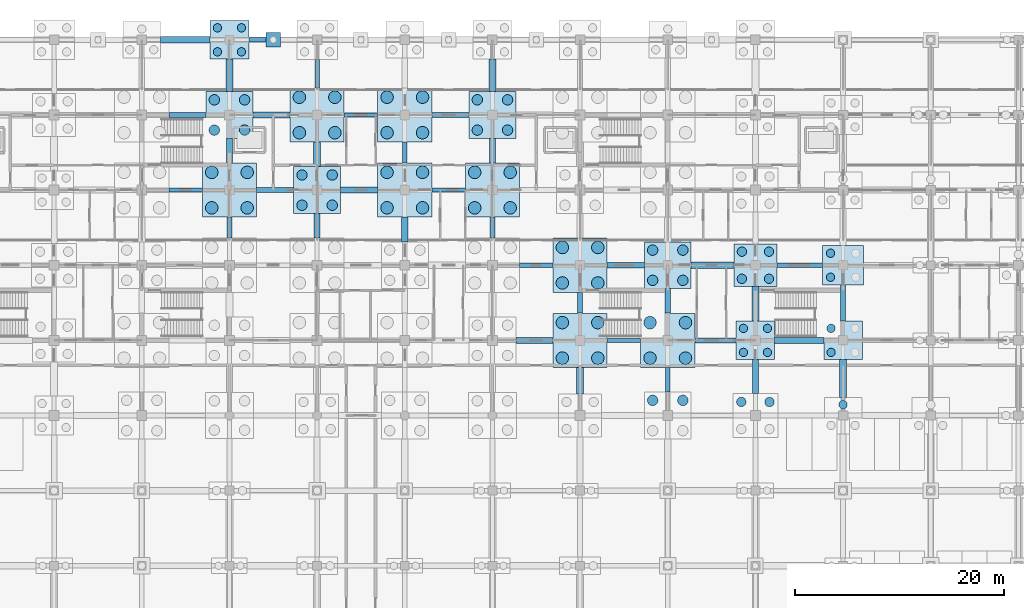
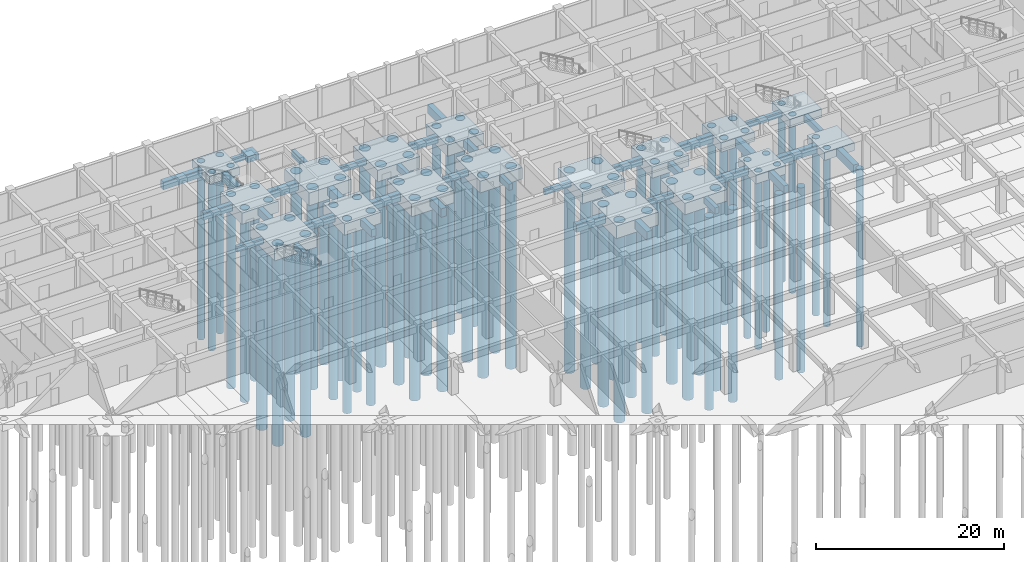
# One storey, part 11 of 85: 69 piles, 55 footings.
"""IFC4 building model written with IfcOpenShell, lengths in metres."""

from ifc_helpers import new_model, si_unit, direction, frame, origin, origin_2d, place, context, subcontext, project, spatial, rectangle, circle, extrude, material, material_profile, profile_set, type_object, element, save


model = new_model("IFC4")

# Units and contexts
model_context = context("Model", 3, precision=1e-05, world=origin(), true_north=direction((0.0, 1.0)))
body_context = subcontext(model_context, "Body", "Model", "MODEL_VIEW")
ifc_project = project(units=[si_unit("LENGTHUNIT", "METRE"), si_unit("AREAUNIT", "SQUARE_METRE"), si_unit("VOLUMEUNIT", "CUBIC_METRE"), si_unit("PLANEANGLEUNIT", "RADIAN"), si_unit("MASSUNIT", "GRAM", prefix="KILO")], contexts=[model_context])

# Site, building, storey
site_placement = place(None, origin())
site = spatial("IfcSite", under=ifc_project, at=site_placement, CompositionType="ELEMENT")
building_placement = place(site_placement, origin())
building = spatial("IfcBuilding", under=site, at=building_placement, Name="Chengyuan Square Courthouse", CompositionType="ELEMENT")
storey_placement = place(building_placement, frame((0.0, 0.0, -10.199951171875)))
storey = spatial("IfcBuildingStorey", under=building, at=storey_placement, Name="B02", CompositionType="ELEMENT", Elevation=-10.199951171875)

# Footings
ifc_material = material(Name="Concrete C40", Category="concrete")
ifc_material_profile_1 = material_profile(ifc_material, rectangle(XDim=0.39990234375, YDim=0.699951171875, at=origin_2d()), Name="GB-400x700")
ifc_profile_set_1 = profile_set([ifc_material_profile_1], Name="Concrete C40")
footing_type_1 = type_object("IfcFootingType", Name="GB-01", PredefinedType="FOOTING_BEAM", material=ifc_profile_set_1)
footing_1_placement = place(storey_placement, frame((103.39990234375, 86.39990234375, -1.150146484375), z_axis=(1.0, 0.0, 0.0), x_axis=(0.0, 1.0, 0.0)))
element("IfcFooting", 1, at=footing_1_placement, inside=storey, type_object=footing_type_1, Name="Ground Tie Beam GB-B02-0253", PredefinedType="FOOTING_BEAM", context=body_context, shape_type="SweptSolid", body=[
    extrude(rectangle(XDim=0.39990234375, YDim=0.699951171875, at=origin_2d()), origin(), (0.0, 0.0, 1.0), 3.2001953125),
])
footing_2_placement = place(storey_placement, frame((95.0, 93.60009765625, -1.150146484375), z_axis=(1.0, 0.0, 0.0), x_axis=(0.0, 1.0, 0.0)))
element("IfcFooting", 2, at=footing_2_placement, inside=storey, type_object=footing_type_1, Name="Ground Tie Beam GB-B02-0272", PredefinedType="FOOTING_BEAM", context=body_context, shape_type="SweptSolid", body=[
    extrude(rectangle(XDim=0.39990234375, YDim=0.699951171875, at=origin_2d()), origin(), (0.0, 0.0, 1.0), 3.199951171875),
])
footing_3_placement = place(storey_placement, frame((119.64990234375, 93.60009765625, -1.150146484375), z_axis=(1.0, 0.0, 0.0), x_axis=(0.0, 1.0, 0.0)))
element("IfcFooting", 3, at=footing_3_placement, inside=storey, type_object=footing_type_1, Name="Ground Tie Beam GB-B02-0275", PredefinedType="FOOTING_BEAM", context=body_context, shape_type="SweptSolid", body=[
    extrude(rectangle(XDim=0.39990234375, YDim=0.699951171875, at=origin_2d()), origin(), (0.0, 0.0, 1.0), 4.400146484375),
])
footing_4_placement = place(storey_placement, frame((61.39990234375, 100.800048828125, -1.150146484375), z_axis=(1.0, 0.0, 0.0), x_axis=(0.0, 1.0, 0.0)))
element("IfcFooting", 4, at=footing_4_placement, inside=storey, type_object=footing_type_1, Name="Ground Tie Beam GB-B02-0288", PredefinedType="FOOTING_BEAM", context=body_context, shape_type="SweptSolid", body=[
    extrude(rectangle(XDim=0.39990234375, YDim=0.699951171875, at=origin_2d()), origin(), (0.0, 0.0, 1.0), 3.2001953125),
])
for number, where, z_axis, x_axis, name in (
    (5, (86.60009765625, 100.800048828125, -1.150146484375), (1.0, 0.0, 0.0), (0.0, 1.0, 0.0), "Ground Tie Beam GB-B02-0291"),
    (6, (78.199951171875, 108.0, -1.150146484375), (1.0, 0.0, 0.0), (0.0, 1.0, 0.0), "Ground Tie Beam GB-B02-0310"),
):
    element("IfcFooting", number, at=place(storey_placement, frame(where, z_axis=z_axis, x_axis=x_axis)), inside=storey, type_object=footing_type_1, Name=name, PredefinedType="FOOTING_BEAM", context=body_context, shape_type="SweptSolid", body=[
        extrude(rectangle(XDim=0.39990234375, YDim=0.699951171875, at=origin_2d()), origin(), (0.0, 0.0, 1.0), 3.199951171875),
    ])
footing_5_placement = place(storey_placement, frame((69.050048828125, 115.199951171875, -1.150146484375), z_axis=(1.0, 0.0, 0.0), x_axis=(0.0, 1.0, 0.0)))
element("IfcFooting", 7, at=footing_5_placement, inside=storey, type_object=footing_type_1, Name="Ground Tie Beam GB-B02-0330", PredefinedType="FOOTING_BEAM", context=body_context, shape_type="SweptSolid", body=[
    extrude(rectangle(XDim=0.39990234375, YDim=0.699951171875, at=origin_2d()), origin(), (0.0, 0.0, 1.0), 1.64990234375),
])
ifc_material_profile_2 = material_profile(ifc_material, rectangle(XDim=0.449951171875, YDim=0.800048828125, at=origin_2d()), Name="GB-450x800")
ifc_profile_set_2 = profile_set([ifc_material_profile_2], Name="Concrete C40")
footing_type_2 = type_object("IfcFootingType", Name="GB-02", PredefinedType="FOOTING_BEAM", material=ifc_profile_set_2)
footing_6_placement = place(storey_placement, frame((67.199951171875, 96.199951171875, -1.199951171875), z_axis=(0.0, 1.0, 0.0), x_axis=(-1.0, 0.0, 0.0)))
element("IfcFooting", 8, at=footing_6_placement, inside=storey, type_object=footing_type_2, Name="Ground Tie Beam GB-B02-0488", PredefinedType="FOOTING_BEAM", context=body_context, shape_type="SweptSolid", body=[
    extrude(rectangle(XDim=0.449951171875, YDim=0.800048828125, at=origin_2d()), origin(), (0.0, 0.0, 1.0), 2.0),
])
footing_7_placement = place(storey_placement, frame((75.60009765625, 110.60009765625, -1.199951171875), z_axis=(0.0, 1.0, 0.0), x_axis=(-1.0, 0.0, 0.0)))
element("IfcFooting", 9, at=footing_7_placement, inside=storey, type_object=footing_type_2, Name="Ground Tie Beam GB-B02-0506", PredefinedType="FOOTING_BEAM", context=body_context, shape_type="SweptSolid", body=[
    extrude(rectangle(XDim=0.449951171875, YDim=0.800048828125, at=origin_2d()), origin(), (0.0, 0.0, 1.0), 2.699951171875),
])
for number, where, z_axis, x_axis, name in (
    (10, (84.0, 103.39990234375, -1.199951171875), (0.0, 1.0, 0.0), (-1.0, 0.0, 0.0), "Ground Tie Beam GB-B02-0521"),
    (11, (92.39990234375, 96.199951171875, -1.199951171875), (0.0, 1.0, 0.0), (-1.0, 0.0, 0.0), "Ground Tie Beam GB-B02-0536"),
    (12, (100.800048828125, 89.0, -1.199951171875), (0.0, 1.0, 0.0), (-1.0, 0.0, 0.0), "Ground Tie Beam GB-B02-0551"),
):
    element("IfcFooting", number, at=place(storey_placement, frame(where, z_axis=z_axis, x_axis=x_axis)), inside=storey, type_object=footing_type_2, Name=name, PredefinedType="FOOTING_BEAM", context=body_context, shape_type="SweptSolid", body=[
        extrude(rectangle(XDim=0.449951171875, YDim=0.800048828125, at=origin_2d()), origin(), (0.0, 0.0, 1.0), 2.0),
    ])
footing_8_placement = place(storey_placement, frame((109.199951171875, 81.449951171875, -1.199951171875), z_axis=(0.0, 1.0, 0.0), x_axis=(-1.0, 0.0, 0.0)))
element("IfcFooting", 13, at=footing_8_placement, inside=storey, type_object=footing_type_2, Name="Ground Tie Beam GB-B02-0566", PredefinedType="FOOTING_BEAM", context=body_context, shape_type="SweptSolid", body=[
    extrude(rectangle(XDim=0.449951171875, YDim=0.800048828125, at=origin_2d()), origin(), (0.0, 0.0, 1.0), 2.35009765625),
])
footing_9_placement = place(storey_placement, frame((126.0, 88.25, -1.199951171875), z_axis=(0.0, 1.0, 0.0), x_axis=(-1.0, 0.0, 0.0)))
element("IfcFooting", 14, at=footing_9_placement, inside=storey, type_object=footing_type_2, Name="Ground Tie Beam GB-B02-0599", PredefinedType="FOOTING_BEAM", context=body_context, shape_type="SweptSolid", body=[
    extrude(rectangle(XDim=0.449951171875, YDim=0.800048828125, at=origin_2d()), origin(), (0.0, 0.0, 1.0), 3.449951171875),
])
ifc_material_profile_3 = material_profile(ifc_material, rectangle(XDim=0.5, YDim=0.89990234375, at=origin_2d()), Name="GB-500x900")
ifc_profile_set_3 = profile_set([ifc_material_profile_3], Name="Concrete C40")
footing_type_3 = type_object("IfcFootingType", Name="GB-03", PredefinedType="FOOTING_BEAM", material=ifc_profile_set_3)
footing_10_placement = place(storey_placement, frame((111.800048828125, 86.39990234375, -1.25), z_axis=(1.0, 0.0, 0.0), x_axis=(0.0, 1.0, 0.0)))
element("IfcFooting", 15, at=footing_10_placement, inside=storey, type_object=footing_type_3, Name="Ground Tie Beam GB-B02-0254", PredefinedType="FOOTING_BEAM", context=body_context, shape_type="SweptSolid", body=[
    extrude(rectangle(XDim=0.5, YDim=0.89990234375, at=origin_2d()), origin(), (0.0, 0.0, 1.0), 3.949951171875),
])
for number, where, z_axis, x_axis, name in (
    (16, (103.39990234375, 93.60009765625, -1.25), (1.0, 0.0, 0.0), (0.0, 1.0, 0.0), "Ground Tie Beam GB-B02-0273"),
    (17, (69.800048828125, 100.800048828125, -1.25), (1.0, 0.0, 0.0), (0.0, 1.0, 0.0), "Ground Tie Beam GB-B02-0289"),
    (18, (61.39990234375, 108.0, -1.25), (1.0, 0.0, 0.0), (0.0, 1.0, 0.0), "Ground Tie Beam GB-B02-0308"),
):
    element("IfcFooting", number, at=place(storey_placement, frame(where, z_axis=z_axis, x_axis=x_axis)), inside=storey, type_object=footing_type_3, Name=name, PredefinedType="FOOTING_BEAM", context=body_context, shape_type="SweptSolid", body=[
        extrude(rectangle(XDim=0.5, YDim=0.89990234375, at=origin_2d()), origin(), (0.0, 0.0, 1.0), 3.550048828125),
    ])
footing_11_placement = place(storey_placement, frame((86.60009765625, 108.0, -1.25), z_axis=(1.0, 0.0, 0.0), x_axis=(0.0, 1.0, 0.0)))
element("IfcFooting", 19, at=footing_11_placement, inside=storey, type_object=footing_type_3, Name="Ground Tie Beam GB-B02-0311", PredefinedType="FOOTING_BEAM", context=body_context, shape_type="SweptSolid", body=[
    extrude(rectangle(XDim=0.5, YDim=0.89990234375, at=origin_2d()), origin(), (0.0, 0.0, 1.0), 3.5498046875),
])
ifc_material_profile_4 = material_profile(ifc_material, rectangle(XDim=0.550048828125, YDim=0.949951171875, at=origin_2d()), Name="GB-550x950")
ifc_profile_set_4 = profile_set([ifc_material_profile_4], Name="Concrete C40")
footing_type_4 = type_object("IfcFootingType", Name="GB-04", PredefinedType="FOOTING_BEAM", material=ifc_profile_set_4)
for number, where, z_axis, x_axis, name in (
    (20, (67.199951171875, 103.39990234375, -1.275146484375), (0.0, 1.0, 0.0), (-1.0, 0.0, 0.0), "Ground Tie Beam GB-B02-0489"),
    (21, (75.60009765625, 96.199951171875, -1.275146484375), (0.0, 1.0, 0.0), (-1.0, 0.0, 0.0), "Ground Tie Beam GB-B02-0504"),
    (22, (92.39990234375, 103.39990234375, -1.275146484375), (0.0, 1.0, 0.0), (-1.0, 0.0, 0.0), "Ground Tie Beam GB-B02-0537"),
    (23, (109.199951171875, 89.0, -1.275146484375), (0.0, 1.0, 0.0), (-1.0, 0.0, 0.0), "Ground Tie Beam GB-B02-0567"),
):
    element("IfcFooting", number, at=place(storey_placement, frame(where, z_axis=z_axis, x_axis=x_axis)), inside=storey, type_object=footing_type_4, Name=name, PredefinedType="FOOTING_BEAM", context=body_context, shape_type="SweptSolid", body=[
        extrude(rectangle(XDim=0.550048828125, YDim=0.949951171875, at=origin_2d()), origin(), (0.0, 0.0, 1.0), 2.35009765625),
    ])
footing_12_placement = place(storey_placement, frame((117.60009765625, 81.300048828125, -1.275146484375), z_axis=(0.0, 1.0, 0.0), x_axis=(-1.0, 0.0, 0.0)))
element("IfcFooting", 24, at=footing_12_placement, inside=storey, type_object=footing_type_4, Name="Ground Tie Beam GB-B02-0582", PredefinedType="FOOTING_BEAM", context=body_context, shape_type="SweptSolid", body=[
    extrude(rectangle(XDim=0.550048828125, YDim=0.949951171875, at=origin_2d()), origin(), (0.0, 0.0, 1.0), 3.25),
])
ifc_material_profile_5 = material_profile(ifc_material, rectangle(XDim=0.60009765625, YDim=1.0, at=origin_2d()), Name="GB-600x1000")
ifc_profile_set_5 = profile_set([ifc_material_profile_5], Name="Concrete C40")
footing_type_5 = type_object("IfcFootingType", Name="GB-05", PredefinedType="FOOTING_BEAM", material=ifc_profile_set_5)
footing_13_placement = place(storey_placement, frame((94.64990234375, 86.39990234375, -1.300048828125), z_axis=(1.0, 0.0, 0.0), x_axis=(0.0, 1.0, 0.0)))
element("IfcFooting", 25, at=footing_13_placement, inside=storey, type_object=footing_type_5, Name="Ground Tie Beam GB-B02-0252", PredefinedType="FOOTING_BEAM", context=body_context, shape_type="SweptSolid", body=[
    extrude(rectangle(XDim=0.60009765625, YDim=1.0, at=origin_2d()), origin(), (0.0, 0.0, 1.0), 3.550048828125),
])
footing_14_placement = place(storey_placement, frame((119.449951171875, 86.39990234375, -1.300048828125), z_axis=(1.0, 0.0, 0.0), x_axis=(0.0, 1.0, 0.0)))
element("IfcFooting", 26, at=footing_14_placement, inside=storey, type_object=footing_type_5, Name="Ground Tie Beam GB-B02-0255", PredefinedType="FOOTING_BEAM", context=body_context, shape_type="SweptSolid", body=[
    extrude(rectangle(XDim=0.60009765625, YDim=1.0, at=origin_2d()), origin(), (0.0, 0.0, 1.0), 4.699951171875),
])
footing_15_placement = place(storey_placement, frame((111.449951171875, 93.60009765625, -1.300048828125), z_axis=(1.0, 0.0, 0.0), x_axis=(0.0, 1.0, 0.0)))
element("IfcFooting", 27, at=footing_15_placement, inside=storey, type_object=footing_type_5, Name="Ground Tie Beam GB-B02-0274", PredefinedType="FOOTING_BEAM", context=body_context, shape_type="SweptSolid", body=[
    extrude(rectangle(XDim=0.60009765625, YDim=1.0, at=origin_2d()), origin(), (0.0, 0.0, 1.0), 4.10009765625),
])
footing_16_placement = place(storey_placement, frame((77.85009765625, 100.800048828125, -1.300048828125), z_axis=(1.0, 0.0, 0.0), x_axis=(0.0, 1.0, 0.0)))
element("IfcFooting", 28, at=footing_16_placement, inside=storey, type_object=footing_type_5, Name="Ground Tie Beam GB-B02-0290", PredefinedType="FOOTING_BEAM", context=body_context, shape_type="SweptSolid", body=[
    extrude(rectangle(XDim=0.60009765625, YDim=1.0, at=origin_2d()), origin(), (0.0, 0.0, 1.0), 3.5498046875),
])
footing_17_placement = place(storey_placement, frame((69.449951171875, 108.0, -1.300048828125), z_axis=(1.0, 0.0, 0.0), x_axis=(0.0, 1.0, 0.0)))
element("IfcFooting", 29, at=footing_17_placement, inside=storey, type_object=footing_type_5, Name="Ground Tie Beam GB-B02-0309", PredefinedType="FOOTING_BEAM", context=body_context, shape_type="SweptSolid", body=[
    extrude(rectangle(XDim=0.60009765625, YDim=1.0, at=origin_2d()), origin(), (0.0, 0.0, 1.0), 3.550048828125),
])
footing_18_placement = place(storey_placement, frame((60.60009765625, 115.199951171875, -1.300048828125), z_axis=(1.0, 0.0, 0.0), x_axis=(0.0, 1.0, 0.0)))
element("IfcFooting", 30, at=footing_18_placement, inside=storey, type_object=footing_type_5, Name="Ground Tie Beam GB-B02-0329", PredefinedType="FOOTING_BEAM", context=body_context, shape_type="SweptSolid", body=[
    extrude(rectangle(XDim=0.60009765625, YDim=1.0, at=origin_2d()), origin(), (0.0, 0.0, 1.0), 4.75),
])
ifc_material_profile_6 = material_profile(ifc_material, rectangle(XDim=0.64990234375, YDim=1.10009765625, at=origin_2d()), Name="GB-650x1100")
ifc_profile_set_6 = profile_set([ifc_material_profile_6], Name="Concrete C40")
footing_type_6 = type_object("IfcFootingType", Name="GB-06", PredefinedType="FOOTING_BEAM", material=ifc_profile_set_6)
footing_19_placement = place(storey_placement, frame((67.199951171875, 110.25, -1.35009765625), z_axis=(0.0, 1.0, 0.0), x_axis=(-1.0, 0.0, 0.0)))
element("IfcFooting", 31, at=footing_19_placement, inside=storey, type_object=footing_type_6, Name="Ground Tie Beam GB-B02-0490", PredefinedType="FOOTING_BEAM", context=body_context, shape_type="SweptSolid", body=[
    extrude(rectangle(XDim=0.64990234375, YDim=1.10009765625, at=origin_2d()), origin(), (0.0, 0.0, 1.0), 3.10009765625),
])
for number, where, z_axis, x_axis, name in (
    (32, (75.60009765625, 103.050048828125, -1.35009765625), (0.0, 1.0, 0.0), (-1.0, 0.0, 0.0), "Ground Tie Beam GB-B02-0505"),
    (33, (84.0, 95.85009765625, -1.35009765625), (0.0, 1.0, 0.0), (-1.0, 0.0, 0.0), "Ground Tie Beam GB-B02-0520"),
):
    element("IfcFooting", number, at=place(storey_placement, frame(where, z_axis=z_axis, x_axis=x_axis)), inside=storey, type_object=footing_type_6, Name=name, PredefinedType="FOOTING_BEAM", context=body_context, shape_type="SweptSolid", body=[
        extrude(rectangle(XDim=0.64990234375, YDim=1.10009765625, at=origin_2d()), origin(), (0.0, 0.0, 1.0), 2.349853515625),
    ])
footing_20_placement = place(storey_placement, frame((92.39990234375, 110.25, -1.35009765625), z_axis=(0.0, 1.0, 0.0), x_axis=(-1.0, 0.0, 0.0)))
element("IfcFooting", 34, at=footing_20_placement, inside=storey, type_object=footing_type_6, Name="Ground Tie Beam GB-B02-0538", PredefinedType="FOOTING_BEAM", context=body_context, shape_type="SweptSolid", body=[
    extrude(rectangle(XDim=0.64990234375, YDim=1.10009765625, at=origin_2d()), origin(), (0.0, 0.0, 1.0), 3.10009765625),
])
footing_21_placement = place(storey_placement, frame((100.800048828125, 81.25, -1.35009765625), z_axis=(0.0, 1.0, 0.0), x_axis=(-1.0, 0.0, 0.0)))
element("IfcFooting", 35, at=footing_21_placement, inside=storey, type_object=footing_type_6, Name="Ground Tie Beam GB-B02-0550", PredefinedType="FOOTING_BEAM", context=body_context, shape_type="SweptSolid", body=[
    extrude(rectangle(XDim=0.64990234375, YDim=1.10009765625, at=origin_2d()), origin(), (0.0, 0.0, 1.0), 2.550048828125),
])
footing_22_placement = place(storey_placement, frame((117.60009765625, 88.25, -1.35009765625), z_axis=(0.0, 1.0, 0.0), x_axis=(-1.0, 0.0, 0.0)))
element("IfcFooting", 36, at=footing_22_placement, inside=storey, type_object=footing_type_6, Name="Ground Tie Beam GB-B02-0583", PredefinedType="FOOTING_BEAM", context=body_context, shape_type="SweptSolid", body=[
    extrude(rectangle(XDim=0.64990234375, YDim=1.10009765625, at=origin_2d()), origin(), (0.0, 0.0, 1.0), 3.300048828125),
])
footing_23_placement = place(storey_placement, frame((126.0, 80.949951171875, -1.35009765625), z_axis=(0.0, 1.0, 0.0), x_axis=(-1.0, 0.0, 0.0)))
element("IfcFooting", 37, at=footing_23_placement, inside=storey, type_object=footing_type_6, Name="Ground Tie Beam GB-B02-0598", PredefinedType="FOOTING_BEAM", context=body_context, shape_type="SweptSolid", body=[
    extrude(rectangle(XDim=0.64990234375, YDim=1.10009765625, at=origin_2d()), origin(), (0.0, 0.0, 1.0), 3.60009765625),
])
footing_type_7 = type_object("IfcFootingType", Name="PC-01", PredefinedType="PILE_CAP", material=ifc_material)
for number, where, z_axis, x_axis, name in (
    (38, (75.60009765625, 108.0, -2.449951171875), (0.0, 0.0, 1.0), (1.0, 0.0, 0.0), "Pile Cap PC-B02-169"),
    (39, (84.0, 100.800048828125, -2.449951171875), (0.0, 0.0, 1.0), (1.0, 0.0, 0.0), "Pile Cap PC-B02-185"),
    (40, (100.800048828125, 86.39990234375, -2.449951171875), (0.0, 0.0, 1.0), (1.0, 0.0, 0.0), "Pile Cap PC-B02-217"),
):
    element("IfcFooting", number, at=place(storey_placement, frame(where, z_axis=z_axis, x_axis=x_axis)), inside=storey, type_object=footing_type_7, Name=name, PredefinedType="PILE_CAP", context=body_context, shape_type="SweptSolid", body=[
        extrude(rectangle(XDim=5.199951171875, YDim=5.199951171875, at=origin_2d()), origin(), (0.0, 0.0, 1.0), 1.64990234375),
    ])
footing_type_8 = type_object("IfcFootingType", Name="PC-02", PredefinedType="PILE_CAP", material=ifc_material)
for number, where, z_axis, x_axis, name in (
    (41, (67.199951171875, 100.800048828125, -2.300048828125), (0.0, 0.0, 1.0), (1.0, 0.0, 0.0), "Pile Cap PC-B02-151"),
    (42, (84.0, 108.0, -2.300048828125), (0.0, 0.0, 1.0), (1.0, 0.0, 0.0), "Pile Cap PC-B02-186"),
    (43, (92.39990234375, 100.800048828125, -2.300048828125), (0.0, 0.0, 1.0), (1.0, 0.0, 0.0), "Pile Cap PC-B02-202"),
    (44, (100.800048828125, 93.60009765625, -2.300048828125), (0.0, 0.0, 1.0), (1.0, 0.0, 0.0), "Pile Cap PC-B02-218"),
    (45, (109.199951171875, 86.39990234375, -2.300048828125), (0.0, 0.0, 1.0), (1.0, 0.0, 0.0), "Pile Cap PC-B02-234"),
):
    element("IfcFooting", number, at=place(storey_placement, frame(where, z_axis=z_axis, x_axis=x_axis)), inside=storey, type_object=footing_type_8, Name=name, PredefinedType="PILE_CAP", context=body_context, shape_type="SweptSolid", body=[
        extrude(rectangle(XDim=5.199951171875, YDim=5.199951171875, at=origin_2d()), origin(), (0.0, 0.0, 1.0), 1.5),
    ])
footing_type_9 = type_object("IfcFootingType", Name="PC-03", PredefinedType="PILE_CAP", material=ifc_material)
for number, where, z_axis, x_axis, name in (
    (46, (67.199951171875, 108.0, -2.25), (0.0, 0.0, 1.0), (1.0, 0.0, 0.0), "Pile Cap PC-B02-152"),
    (47, (75.60009765625, 100.800048828125, -2.25), (0.0, 0.0, 1.0), (1.0, 0.0, 0.0), "Pile Cap PC-B02-168"),
    (48, (92.39990234375, 108.0, -2.25), (0.0, 0.0, 1.0), (1.0, 0.0, 0.0), "Pile Cap PC-B02-203"),
    (49, (109.199951171875, 93.60009765625, -2.25), (0.0, 0.0, 1.0), (1.0, 0.0, 0.0), "Pile Cap PC-B02-235"),
):
    element("IfcFooting", number, at=place(storey_placement, frame(where, z_axis=z_axis, x_axis=x_axis)), inside=storey, type_object=footing_type_9, Name=name, PredefinedType="PILE_CAP", context=body_context, shape_type="SweptSolid", body=[
        extrude(rectangle(XDim=4.5, YDim=4.5, at=origin_2d()), origin(), (0.0, 0.0, 1.0), 1.449951171875),
    ])
footing_type_10 = type_object("IfcFootingType", Name="PC-07", PredefinedType="PILE_CAP", material=ifc_material)
footing_24_placement = place(storey_placement, frame((117.60009765625, 93.60009765625, -2.0), z_axis=(0.0, 0.0, 1.0), x_axis=(1.0, 0.0, 0.0)))
element("IfcFooting", 50, at=footing_24_placement, inside=storey, type_object=footing_type_10, Name="Pile Cap PC-B02-252", PredefinedType="PILE_CAP", context=body_context, shape_type="SweptSolid", body=[
    extrude(rectangle(XDim=4.10009765625, YDim=4.10009765625, at=origin_2d()), origin(), (0.0, 0.0, 1.0), 1.199951171875),
])
footing_type_11 = type_object("IfcFootingType", Name="PC-09", PredefinedType="PILE_CAP", material=ifc_material)
footing_25_placement = place(storey_placement, frame((117.60009765625, 86.39990234375, -1.949951171875), z_axis=(0.0, 0.0, 1.0), x_axis=(1.0, 0.0, 0.0)))
element("IfcFooting", 51, at=footing_25_placement, inside=storey, type_object=footing_type_11, Name="Pile Cap PC-B02-251", PredefinedType="PILE_CAP", context=body_context, shape_type="SweptSolid", body=[
    extrude(rectangle(XDim=3.699951171875, YDim=3.699951171875, at=origin_2d()), origin(), (0.0, 0.0, 1.0), 1.14990234375),
])
footing_type_12 = type_object("IfcFootingType", Name="PC-10", PredefinedType="PILE_CAP", material=ifc_material)
for number, where, z_axis, x_axis, name in (
    (52, (67.199951171875, 115.199951171875, -1.85009765625), (0.0, 0.0, 1.0), (1.0, 0.0, 0.0), "Pile Cap PC-B02-153"),
    (53, (126.0, 86.39990234375, -1.85009765625), (0.0, 0.0, 1.0), (1.0, 0.0, 0.0), "Pile Cap PC-B02-268"),
):
    element("IfcFooting", number, at=place(storey_placement, frame(where, z_axis=z_axis, x_axis=x_axis)), inside=storey, type_object=footing_type_12, Name=name, PredefinedType="PILE_CAP", context=body_context, shape_type="SweptSolid", body=[
        extrude(rectangle(XDim=3.699951171875, YDim=3.699951171875, at=origin_2d()), origin(), (0.0, 0.0, 1.0), 1.050048828125),
    ])
footing_type_13 = type_object("IfcFootingType", Name="PC-11", PredefinedType="PILE_CAP", material=ifc_material)
footing_26_placement = place(storey_placement, frame((126.0, 93.60009765625, -1.900146484375), z_axis=(0.0, 0.0, 1.0), x_axis=(1.0, 0.0, 0.0)))
element("IfcFooting", 54, at=footing_26_placement, inside=storey, type_object=footing_type_13, Name="Pile Cap PC-B02-269", PredefinedType="PILE_CAP", context=body_context, shape_type="SweptSolid", body=[
    extrude(rectangle(XDim=3.89990234375, YDim=3.800048828125, at=origin_2d()), origin(), (0.0, 0.0, 1.0), 1.10009765625),
])
footing_type_14 = type_object("IfcFootingType", Name="PC-22", PredefinedType="PILE_CAP", material=ifc_material)
footing_27_placement = place(storey_placement, frame((71.39990234375, 115.199951171875, -1.60009765625), z_axis=(0.0, 0.0, 1.0), x_axis=(1.0, 0.0, 0.0)))
element("IfcFooting", 55, at=footing_27_placement, inside=storey, type_object=footing_type_14, Name="Pilaster Pile Cap PC-B02-359", PredefinedType="PILE_CAP", context=body_context, shape_type="SweptSolid", body=[
    extrude(rectangle(XDim=1.39990234375, YDim=1.39990234375, at=origin_2d()), origin(), (0.0, 0.0, 1.0), 0.800048828125),
])

# Piles
ifc_material_profile_7 = material_profile(ifc_material, circle(Radius=0.39990234375, at=origin_2d()), Name="BORED PILE D800")
ifc_profile_set_7 = profile_set([ifc_material_profile_7], Name="Concrete C40")
pile_type_1 = type_object("IfcPileType", Name="PL-03", PredefinedType="BORED", material=ifc_profile_set_7)
for number, where, z_axis, x_axis, name in (
    (56, (66.050048828125, 114.050048828125, -0.800048828125), (0.0, 0.0, -1.0), (1.0, 0.0, 0.0), "Bored Pile PL-B02-0289"),
    (57, (68.35009765625, 114.050048828125, -0.800048828125), (0.0, 0.0, -1.0), (1.0, 0.0, 0.0), "Bored Pile PL-B02-0290"),
    (58, (66.050048828125, 116.35009765625, -0.800048828125), (0.0, 0.0, -1.0), (1.0, 0.0, 0.0), "Bored Pile PL-B02-0291"),
    (59, (68.35009765625, 116.35009765625, -0.800048828125), (0.0, 0.0, -1.0), (1.0, 0.0, 0.0), "Bored Pile PL-B02-0292"),
    (60, (116.449951171875, 85.25, -0.800048828125), (0.0, 0.0, -1.0), (1.0, 0.0, 0.0), "Bored Pile PL-B02-0506"),
    (61, (118.75, 85.25, -0.800048828125), (0.0, 0.0, -1.0), (1.0, 0.0, 0.0), "Bored Pile PL-B02-0507"),
    (62, (116.449951171875, 87.550048828125, -0.800048828125), (0.0, 0.0, -1.0), (1.0, 0.0, 0.0), "Bored Pile PL-B02-0508"),
    (63, (118.75, 87.550048828125, -0.800048828125), (0.0, 0.0, -1.0), (1.0, 0.0, 0.0), "Bored Pile PL-B02-0509"),
    (64, (126.0, 80.239990234375, -0.800048828125), (0.0, 0.0, -1.0), (1.0, 0.0, 0.0), "Bored Pile PL-B02-0543"),
    (65, (124.85009765625, 85.25, -0.800048828125), (0.0, 0.0, -1.0), (1.0, 0.0, 0.0), "Bored Pile PL-B02-0544"),
    (66, (124.85009765625, 87.550048828125, -0.800048828125), (0.0, 0.0, -1.0), (1.0, 0.0, 0.0), "Bored Pile PL-B02-0546"),
    (67, (124.800048828125, 92.449951171875, -0.800048828125), (0.0, 0.0, -1.0), (1.0, 0.0, 0.0), "Bored Pile PL-B02-0548"),
    (68, (124.800048828125, 94.75, -0.800048828125), (0.0, 0.0, -1.0), (1.0, 0.0, 0.0), "Bored Pile PL-B02-0550"),
):
    element("IfcPile", number, at=place(storey_placement, frame(where, z_axis=z_axis, x_axis=x_axis)), inside=storey, type_object=pile_type_1, Name=name, PredefinedType="BORED", context=body_context, shape_type="SweptSolid", body=[
        extrude(circle(Radius=0.39990234375, at=origin_2d()), origin(), (0.0, 0.0, 1.0), 23.0),
    ])
ifc_material_profile_8 = material_profile(ifc_material, circle(Radius=0.449951171875, at=origin_2d()), Name="BORED PILE D900")
ifc_profile_set_8 = profile_set([ifc_material_profile_8], Name="Concrete C40")
pile_type_2 = type_object("IfcPileType", Name="PL-04", PredefinedType="BORED", material=ifc_profile_set_8)
for number, where, z_axis, x_axis, name in (
    (69, (116.25, 80.5, -0.800048828125), (0.0, 0.0, -1.0), (1.0, 0.0, 0.0), "Bored Pile PL-B02-0504"),
    (70, (118.949951171875, 80.5, -0.800048828125), (0.0, 0.0, -1.0), (1.0, 0.0, 0.0), "Bored Pile PL-B02-0505"),
    (71, (116.300048828125, 92.300048828125, -0.800048828125), (0.0, 0.0, -1.0), (1.0, 0.0, 0.0), "Bored Pile PL-B02-0510"),
    (72, (118.89990234375, 92.300048828125, -0.800048828125), (0.0, 0.0, -1.0), (1.0, 0.0, 0.0), "Bored Pile PL-B02-0511"),
    (73, (116.300048828125, 94.89990234375, -0.800048828125), (0.0, 0.0, -1.0), (1.0, 0.0, 0.0), "Bored Pile PL-B02-0512"),
    (74, (118.89990234375, 94.89990234375, -0.800048828125), (0.0, 0.0, -1.0), (1.0, 0.0, 0.0), "Bored Pile PL-B02-0513"),
):
    element("IfcPile", number, at=place(storey_placement, frame(where, z_axis=z_axis, x_axis=x_axis)), inside=storey, type_object=pile_type_2, Name=name, PredefinedType="BORED", context=body_context, shape_type="SweptSolid", body=[
        extrude(circle(Radius=0.449951171875, at=origin_2d()), origin(), (0.0, 0.0, 1.0), 24.0),
    ])
ifc_material_profile_9 = material_profile(ifc_material, circle(Radius=0.5, at=origin_2d()), Name="BORED PILE D1000")
ifc_profile_set_9 = profile_set([ifc_material_profile_9], Name="Concrete C40")
pile_type_3 = type_object("IfcPileType", Name="PL-05", PredefinedType="BORED", material=ifc_profile_set_9)
for number, where, z_axis, x_axis, name in (
    (75, (65.75, 106.550048828125, -0.800048828125), (0.0, 0.0, -1.0), (1.0, 0.0, 0.0), "Bored Pile PL-B02-0285"),
    (76, (68.64990234375, 106.550048828125, -0.800048828125), (0.0, 0.0, -1.0), (1.0, 0.0, 0.0), "Bored Pile PL-B02-0286"),
    (77, (65.75, 109.449951171875, -0.800048828125), (0.0, 0.0, -1.0), (1.0, 0.0, 0.0), "Bored Pile PL-B02-0287"),
    (78, (68.64990234375, 109.449951171875, -0.800048828125), (0.0, 0.0, -1.0), (1.0, 0.0, 0.0), "Bored Pile PL-B02-0288"),
    (79, (74.14990234375, 99.35009765625, -0.800048828125), (0.0, 0.0, -1.0), (1.0, 0.0, 0.0), "Bored Pile PL-B02-0320"),
    (80, (77.050048828125, 99.35009765625, -0.800048828125), (0.0, 0.0, -1.0), (1.0, 0.0, 0.0), "Bored Pile PL-B02-0321"),
    (81, (74.14990234375, 102.25, -0.800048828125), (0.0, 0.0, -1.0), (1.0, 0.0, 0.0), "Bored Pile PL-B02-0322"),
    (82, (77.050048828125, 102.25, -0.800048828125), (0.0, 0.0, -1.0), (1.0, 0.0, 0.0), "Bored Pile PL-B02-0323"),
    (83, (90.949951171875, 106.550048828125, -0.800048828125), (0.0, 0.0, -1.0), (1.0, 0.0, 0.0), "Bored Pile PL-B02-0402"),
    (84, (93.85009765625, 106.550048828125, -0.800048828125), (0.0, 0.0, -1.0), (1.0, 0.0, 0.0), "Bored Pile PL-B02-0403"),
    (85, (90.949951171875, 109.449951171875, -0.800048828125), (0.0, 0.0, -1.0), (1.0, 0.0, 0.0), "Bored Pile PL-B02-0404"),
    (86, (93.85009765625, 109.449951171875, -0.800048828125), (0.0, 0.0, -1.0), (1.0, 0.0, 0.0), "Bored Pile PL-B02-0405"),
    (87, (107.75, 80.64990234375, -0.800048828125), (0.0, 0.0, -1.0), (1.0, 0.0, 0.0), "Bored Pile PL-B02-0466"),
    (88, (110.64990234375, 80.64990234375, -0.800048828125), (0.0, 0.0, -1.0), (1.0, 0.0, 0.0), "Bored Pile PL-B02-0467"),
    (89, (107.75, 92.14990234375, -0.800048828125), (0.0, 0.0, -1.0), (1.0, 0.0, 0.0), "Bored Pile PL-B02-0472"),
    (90, (110.64990234375, 92.14990234375, -0.800048828125), (0.0, 0.0, -1.0), (1.0, 0.0, 0.0), "Bored Pile PL-B02-0473"),
    (91, (107.75, 95.050048828125, -0.800048828125), (0.0, 0.0, -1.0), (1.0, 0.0, 0.0), "Bored Pile PL-B02-0474"),
    (92, (110.64990234375, 95.050048828125, -0.800048828125), (0.0, 0.0, -1.0), (1.0, 0.0, 0.0), "Bored Pile PL-B02-0475"),
):
    element("IfcPile", number, at=place(storey_placement, frame(where, z_axis=z_axis, x_axis=x_axis)), inside=storey, type_object=pile_type_3, Name=name, PredefinedType="BORED", context=body_context, shape_type="SweptSolid", body=[
        extrude(circle(Radius=0.5, at=origin_2d()), origin(), (0.0, 0.0, 1.0), 25.0),
    ])
ifc_material_profile_10 = material_profile(ifc_material, circle(Radius=0.60009765625, at=origin_2d()), Name="BORED PILE D1200")
ifc_profile_set_10 = profile_set([ifc_material_profile_10], Name="Concrete C40")
pile_type_4 = type_object("IfcPileType", Name="PL-06", PredefinedType="BORED", material=ifc_profile_set_10)
for number, where, z_axis, x_axis, name in (
    (93, (65.5, 99.10009765625, -0.800048828125), (0.0, 0.0, -1.0), (1.0, 0.0, 0.0), "Bored Pile PL-B02-0281"),
    (94, (68.89990234375, 99.10009765625, -0.800048828125), (0.0, 0.0, -1.0), (1.0, 0.0, 0.0), "Bored Pile PL-B02-0282"),
    (95, (65.5, 102.5, -0.800048828125), (0.0, 0.0, -1.0), (1.0, 0.0, 0.0), "Bored Pile PL-B02-0283"),
    (96, (68.89990234375, 102.5, -0.800048828125), (0.0, 0.0, -1.0), (1.0, 0.0, 0.0), "Bored Pile PL-B02-0284"),
    (97, (73.89990234375, 106.300048828125, -0.800048828125), (0.0, 0.0, -1.0), (1.0, 0.0, 0.0), "Bored Pile PL-B02-0324"),
    (98, (77.300048828125, 106.300048828125, -0.800048828125), (0.0, 0.0, -1.0), (1.0, 0.0, 0.0), "Bored Pile PL-B02-0325"),
    (99, (73.89990234375, 109.699951171875, -0.800048828125), (0.0, 0.0, -1.0), (1.0, 0.0, 0.0), "Bored Pile PL-B02-0326"),
    (100, (77.300048828125, 109.699951171875, -0.800048828125), (0.0, 0.0, -1.0), (1.0, 0.0, 0.0), "Bored Pile PL-B02-0327"),
    (101, (82.300048828125, 99.10009765625, -0.800048828125), (0.0, 0.0, -1.0), (1.0, 0.0, 0.0), "Bored Pile PL-B02-0359"),
    (102, (85.699951171875, 99.10009765625, -0.800048828125), (0.0, 0.0, -1.0), (1.0, 0.0, 0.0), "Bored Pile PL-B02-0360"),
    (103, (82.300048828125, 102.5, -0.800048828125), (0.0, 0.0, -1.0), (1.0, 0.0, 0.0), "Bored Pile PL-B02-0361"),
    (104, (85.699951171875, 102.5, -0.800048828125), (0.0, 0.0, -1.0), (1.0, 0.0, 0.0), "Bored Pile PL-B02-0362"),
    (105, (82.300048828125, 106.300048828125, -0.800048828125), (0.0, 0.0, -1.0), (1.0, 0.0, 0.0), "Bored Pile PL-B02-0363"),
    (106, (85.699951171875, 106.300048828125, -0.800048828125), (0.0, 0.0, -1.0), (1.0, 0.0, 0.0), "Bored Pile PL-B02-0364"),
    (107, (82.300048828125, 109.699951171875, -0.800048828125), (0.0, 0.0, -1.0), (1.0, 0.0, 0.0), "Bored Pile PL-B02-0365"),
    (108, (85.699951171875, 109.699951171875, -0.800048828125), (0.0, 0.0, -1.0), (1.0, 0.0, 0.0), "Bored Pile PL-B02-0366"),
    (109, (90.699951171875, 99.10009765625, -0.800048828125), (0.0, 0.0, -1.0), (1.0, 0.0, 0.0), "Bored Pile PL-B02-0398"),
    (110, (94.10009765625, 99.10009765625, -0.800048828125), (0.0, 0.0, -1.0), (1.0, 0.0, 0.0), "Bored Pile PL-B02-0399"),
    (111, (90.699951171875, 102.5, -0.800048828125), (0.0, 0.0, -1.0), (1.0, 0.0, 0.0), "Bored Pile PL-B02-0400"),
    (112, (94.10009765625, 102.5, -0.800048828125), (0.0, 0.0, -1.0), (1.0, 0.0, 0.0), "Bored Pile PL-B02-0401"),
    (113, (99.10009765625, 84.699951171875, -0.800048828125), (0.0, 0.0, -1.0), (1.0, 0.0, 0.0), "Bored Pile PL-B02-0430"),
    (114, (102.5, 84.699951171875, -0.800048828125), (0.0, 0.0, -1.0), (1.0, 0.0, 0.0), "Bored Pile PL-B02-0431"),
    (115, (99.10009765625, 88.10009765625, -0.800048828125), (0.0, 0.0, -1.0), (1.0, 0.0, 0.0), "Bored Pile PL-B02-0432"),
    (116, (102.5, 88.10009765625, -0.800048828125), (0.0, 0.0, -1.0), (1.0, 0.0, 0.0), "Bored Pile PL-B02-0433"),
    (117, (99.10009765625, 91.89990234375, -0.800048828125), (0.0, 0.0, -1.0), (1.0, 0.0, 0.0), "Bored Pile PL-B02-0434"),
    (118, (102.5, 91.89990234375, -0.800048828125), (0.0, 0.0, -1.0), (1.0, 0.0, 0.0), "Bored Pile PL-B02-0435"),
    (119, (99.10009765625, 95.300048828125, -0.800048828125), (0.0, 0.0, -1.0), (1.0, 0.0, 0.0), "Bored Pile PL-B02-0436"),
    (120, (102.5, 95.300048828125, -0.800048828125), (0.0, 0.0, -1.0), (1.0, 0.0, 0.0), "Bored Pile PL-B02-0437"),
    (121, (107.5, 84.699951171875, -0.800048828125), (0.0, 0.0, -1.0), (1.0, 0.0, 0.0), "Bored Pile PL-B02-0468"),
    (122, (110.89990234375, 84.699951171875, -0.800048828125), (0.0, 0.0, -1.0), (1.0, 0.0, 0.0), "Bored Pile PL-B02-0469"),
    (123, (107.5, 88.10009765625, -0.800048828125), (0.0, 0.0, -1.0), (1.0, 0.0, 0.0), "Bored Pile PL-B02-0470"),
    (124, (110.89990234375, 88.10009765625, -0.800048828125), (0.0, 0.0, -1.0), (1.0, 0.0, 0.0), "Bored Pile PL-B02-0471"),
):
    element("IfcPile", number, at=place(storey_placement, frame(where, z_axis=z_axis, x_axis=x_axis)), inside=storey, type_object=pile_type_4, Name=name, PredefinedType="BORED", context=body_context, shape_type="SweptSolid", body=[
        extrude(circle(Radius=0.60009765625, at=origin_2d()), origin(), (0.0, 0.0, 1.0), 26.0),
    ])

save(model, "model.ifc")
